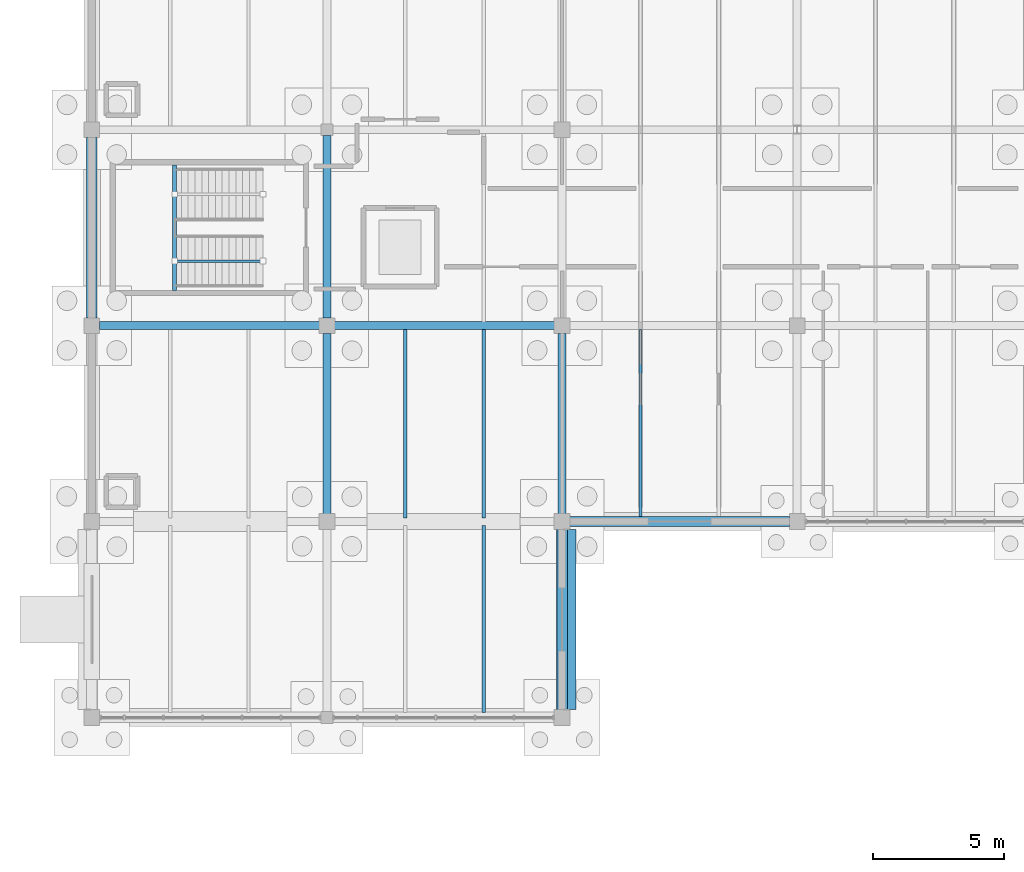
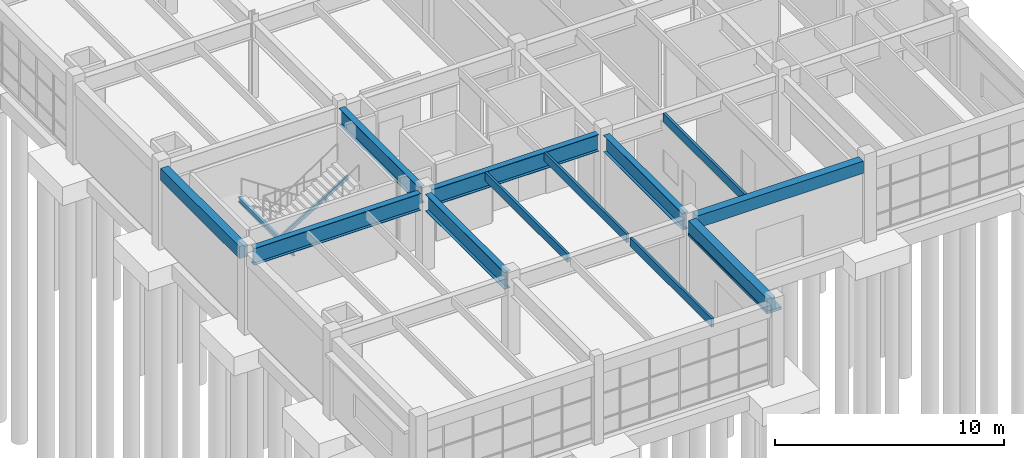
# One storey, part 28 of 93: 13 beams, 2 members.
"""IFC4 building model written with IfcOpenShell, lengths in metres."""

from ifc_helpers import new_model, si_unit, direction, frame, origin, origin_2d, place, context, subcontext, project, spatial, rectangle, hollow_rectangle, i_section, extrude, material, material_profile, profile_set, type_object, element, save


model = new_model("IFC4")

# Units and contexts
model_context = context("Model", 3, precision=1e-05, world=origin(), true_north=direction((0.0, 1.0)))
body_context = subcontext(model_context, "Body", "Model", "MODEL_VIEW")
ifc_project = project(units=[si_unit("LENGTHUNIT", "METRE"), si_unit("AREAUNIT", "SQUARE_METRE"), si_unit("VOLUMEUNIT", "CUBIC_METRE"), si_unit("PLANEANGLEUNIT", "RADIAN"), si_unit("MASSUNIT", "GRAM", prefix="KILO")], contexts=[model_context])

# Site, building, storey
site_placement = place(None, origin())
site = spatial("IfcSite", under=ifc_project, at=site_placement, CompositionType="ELEMENT")
building_placement = place(site_placement, origin())
building = spatial("IfcBuilding", under=site, at=building_placement, Name="Marnridge Secondary College", CompositionType="ELEMENT")
storey_placement = place(building_placement, origin())
storey = spatial("IfcBuildingStorey", under=building, at=storey_placement, Name="L00", CompositionType="ELEMENT", Elevation=0.0)

# Beams
ifc_material_1 = material(Name="Engineered timber LVL E13.2", Category="wood")
ifc_material_profile_1 = material_profile(ifc_material_1, rectangle(XDim=0.1259765625, YDim=0.449951171875, at=origin_2d()), Name="LVL 126x450")
ifc_profile_set_1 = profile_set([ifc_material_profile_1], Name="Engineered timber LVL E13.2")
beam_type_1 = type_object("IfcBeamType", Name="BM-LVL450-INT", PredefinedType="JOIST", material=ifc_profile_set_1)
for number, where, z_axis, x_axis, name in (
    (1, (12.0, 82.64404296875, 3.875), (0.0, 1.0, 0.0), (-1.0, 0.0, 0.0), "Beam BJ-L00-0284"),
    (2, (15.0, 82.64404296875, 3.875), (0.0, 1.0, 0.0), (-1.0, 0.0, 0.0), "Beam BJ-L00-0285"),
):
    element("IfcBeam", number, at=place(storey_placement, frame(where, z_axis=z_axis, x_axis=x_axis)), inside=storey, type_object=beam_type_1, Name=name, PredefinedType="JOIST", context=body_context, shape_type="SweptSolid", body=[
        extrude(rectangle(XDim=0.1259765625, YDim=0.449951171875, at=origin_2d()), origin(), (0.0, 0.0, 1.0), 7.2119140625),
    ])
for number, where, z_axis, x_axis, name in (
    (3, (21.0, 82.694091796875, 3.875), (0.0, 1.0, 0.0), (-1.0, 0.0, 0.0), "Beam BJ-L00-0293"),
    (4, (15.0, 75.194091796875, 3.875), (0.0, 1.0, 0.0), (-1.0, 0.0, 0.0), "Beam BJ-L00-0314"),
):
    element("IfcBeam", number, at=place(storey_placement, frame(where, z_axis=z_axis, x_axis=x_axis)), inside=storey, type_object=beam_type_1, Name=name, PredefinedType="JOIST", context=body_context, shape_type="SweptSolid", body=[
        extrude(rectangle(XDim=0.1259765625, YDim=0.449951171875, at=origin_2d()), origin(), (0.0, 0.0, 1.0), 7.161865234375),
    ])
ifc_material_2 = material(Name="Concrete C40/50 (AS 3600 N40, 40 MPa)", Category="concrete")
ifc_material_profile_2 = material_profile(ifc_material_2, rectangle(XDim=0.39990234375, YDim=0.64990234375, at=origin_2d()), Name="RC 400x650")
ifc_profile_set_2 = profile_set([ifc_material_profile_2], Name="Concrete C40/50 (AS 3600 N40, 40 MPa)")
beam_type_2 = type_object("IfcBeamType", Name="BM-RC4065-EXT", PredefinedType="SPANDREL", material=ifc_profile_set_2)
beam_1_placement = place(storey_placement, frame((0.0, 90.2939453125, 3.77490234375), z_axis=(0.0, 1.0, 0.0), x_axis=(-1.0, 0.0, 0.0)))
element("IfcBeam", 5, at=beam_1_placement, inside=storey, type_object=beam_type_2, Name="Beam BS-L00-0227", PredefinedType="SPANDREL", context=body_context, shape_type="SweptSolid", body=[
    extrude(rectangle(XDim=0.39990234375, YDim=0.64990234375, at=origin_2d()), origin(), (0.0, 0.0, 1.0), 6.912109375),
])
beam_2_placement = place(storey_placement, frame((18.2939453125, 82.5, 3.77490234375), z_axis=(1.0, 0.0, 0.0), x_axis=(0.0, 1.0, 0.0)))
element("IfcBeam", 6, at=beam_2_placement, inside=storey, type_object=beam_type_2, Name="Beam BS-L00-0249", PredefinedType="SPANDREL", context=body_context, shape_type="SweptSolid", body=[
    extrude(rectangle(XDim=0.39990234375, YDim=0.64990234375, at=origin_2d()), origin(), (0.0, 0.0, 1.0), 8.412109375),
])
beam_3_placement = place(storey_placement, frame((18.0, 75.2939453125, 3.77490234375), z_axis=(0.0, 1.0, 0.0), x_axis=(-1.0, 0.0, 0.0)))
element("IfcBeam", 7, at=beam_3_placement, inside=storey, type_object=beam_type_2, Name="Beam BS-L00-0275", PredefinedType="SPANDREL", context=body_context, shape_type="SweptSolid", body=[
    extrude(rectangle(XDim=0.39990234375, YDim=0.64990234375, at=origin_2d()), origin(), (0.0, 0.0, 1.0), 6.912109375),
])
ifc_material_3 = material(Name="Structural steel Grade 350 (AS/NZS 3679.1/.2, fy = 340-360 MPa)", Category="steel")
ifc_material_profile_3 = material_profile(ifc_material_3, i_section(OverallWidth=0.146240234375, OverallDepth=0.256103515625, WebThickness=0.00634765625, FlangeThickness=0.010986328125, FilletRadius=0.0087890625, at=origin_2d()), Name="250UB37.3")
ifc_profile_set_3 = profile_set([ifc_material_profile_3], Name="Structural steel Grade 350 (AS/NZS 3679.1/.2, fy = 340-360 MPa)")
beam_type_3 = type_object("IfcBeamType", Name="BM-UB250-EXT", PredefinedType="LINTEL", material=ifc_profile_set_3)
beam_4_placement = place(storey_placement, frame((3.169921875, 91.342041015625, 1.921875), z_axis=(0.0, 1.0, 0.0), x_axis=(-1.0, 0.0, 0.0)))
element("IfcBeam", 8, at=beam_4_placement, inside=storey, type_object=beam_type_3, Name="Stair landing trimmer beam BT-L00-037", PredefinedType="LINTEL", context=body_context, shape_type="SweptSolid", body=[
    extrude(i_section(OverallWidth=0.146240234375, OverallDepth=0.256103515625, WebThickness=0.00634765625, FlangeThickness=0.010986328125, FilletRadius=0.0087890625, at=origin_2d()), origin(), (0.0, 0.0, 1.0), 4.802978515625),
])
ifc_material_4 = material(Name="Structural steel Grade 350 (AS/NZS 3679.1/.2, fy = 340-360 MPa)", Category="steel")
ifc_material_profile_4 = material_profile(ifc_material_4, i_section(OverallWidth=0.300048828125, OverallDepth=0.89990234375, WebThickness=0.011962890625, FlangeThickness=0.02001953125, at=origin_2d()), Name="900WB175")
ifc_profile_set_4 = profile_set([ifc_material_profile_4], Name="Structural steel Grade 350 (AS/NZS 3679.1/.2, fy = 340-360 MPa)")
beam_type_4 = type_object("IfcBeamType", Name="BM-WB900-INT", PredefinedType="BEAM", material=ifc_profile_set_4)
beam_5_placement = place(storey_placement, frame((0.2939453125, 90.0, 3.64990234375), z_axis=(1.0, 0.0, 0.0), x_axis=(0.0, 1.0, 0.0)))
element("IfcBeam", 9, at=beam_5_placement, inside=storey, type_object=beam_type_4, Name="Beam B-L00-0223", PredefinedType="BEAM", context=body_context, shape_type="SweptSolid", body=[
    extrude(i_section(OverallWidth=0.300048828125, OverallDepth=0.89990234375, WebThickness=0.011962890625, FlangeThickness=0.02001953125, at=origin_2d()), origin(), (0.0, 0.0, 1.0), 8.412109375),
])
beam_6_placement = place(storey_placement, frame((9.0, 82.7939453125, 3.64990234375), z_axis=(0.0, 1.0, 0.0), x_axis=(-1.0, 0.0, 0.0)))
element("IfcBeam", 10, at=beam_6_placement, inside=storey, type_object=beam_type_4, Name="Beam B-L00-0225", PredefinedType="BEAM", context=body_context, shape_type="SweptSolid", body=[
    extrude(i_section(OverallWidth=0.300048828125, OverallDepth=0.89990234375, WebThickness=0.011962890625, FlangeThickness=0.02001953125, at=origin_2d()), origin(), (0.0, 0.0, 1.0), 6.912109375),
])
beam_7_placement = place(storey_placement, frame((9.0, 90.2939453125, 3.64990234375), z_axis=(0.0, 1.0, 0.0), x_axis=(-1.0, 0.0, 0.0)))
element("IfcBeam", 11, at=beam_7_placement, inside=storey, type_object=beam_type_4, Name="Beam B-L00-0228", PredefinedType="BEAM", context=body_context, shape_type="SweptSolid", body=[
    extrude(i_section(OverallWidth=0.300048828125, OverallDepth=0.89990234375, WebThickness=0.011962890625, FlangeThickness=0.02001953125, at=origin_2d()), origin(), (0.0, 0.0, 1.0), 6.987060546875),
])
beam_8_placement = place(storey_placement, frame((9.2939453125, 90.0, 3.64990234375), z_axis=(1.0, 0.0, 0.0), x_axis=(0.0, 1.0, 0.0)))
element("IfcBeam", 12, at=beam_8_placement, inside=storey, type_object=beam_type_4, Name="Beam B-L00-0239", PredefinedType="BEAM", context=body_context, shape_type="SweptSolid", body=[
    extrude(i_section(OverallWidth=0.300048828125, OverallDepth=0.89990234375, WebThickness=0.011962890625, FlangeThickness=0.02001953125, at=origin_2d()), origin(), (0.0, 0.0, 1.0), 8.412109375),
])
beam_9_placement = place(storey_placement, frame((18.0, 82.7939453125, 3.64990234375), z_axis=(0.0, 1.0, 0.0), x_axis=(-1.0, 0.0, 0.0)))
element("IfcBeam", 13, at=beam_9_placement, inside=storey, type_object=beam_type_4, Name="Beam B-L00-0240", PredefinedType="BEAM", context=body_context, shape_type="SweptSolid", body=[
    extrude(i_section(OverallWidth=0.300048828125, OverallDepth=0.89990234375, WebThickness=0.011962890625, FlangeThickness=0.02001953125, at=origin_2d()), origin(), (0.0, 0.0, 1.0), 6.912109375),
])

# Members
ifc_material_5 = material(Name="Precast concrete C40/50 (AS 3600 N40, 40 MPa)", Category="concrete")
ifc_material_profile_5 = material_profile(ifc_material_5, rectangle(XDim=0.139892578125, YDim=0.75, at=origin_2d()), Name="FIN PC 140x750")
ifc_profile_set_5 = profile_set([ifc_material_profile_5], Name="Precast concrete C40/50 (AS 3600 N40, 40 MPa)")
member_type_1 = type_object("IfcMemberType", Name="MB-FIN-PC750", PredefinedType="USERDEFINED", material=ifc_profile_set_5)
member_1_placement = place(storey_placement, frame((18.159912109375, 82.199951171875, 3.362060546875), z_axis=(0.0, -1.0, 0.0), x_axis=(0.0, 0.0, 1.0)))
element("IfcMember", 14, at=member_1_placement, inside=storey, type_object=member_type_1, Name="Solar shading fin SFN-0019", ObjectType="SOLAR FIN", PredefinedType="USERDEFINED", context=body_context, shape_type="SweptSolid", body=[
    extrude(rectangle(XDim=0.139892578125, YDim=0.75, at=origin_2d()), origin(), (0.0, 0.0, 1.0), 6.89990234375),
])
ifc_material_6 = material(Name="Cold-formed steel Grade C350L0 (AS/NZS 1163, fy = 350 MPa)", Category="steel")
ifc_material_profile_6 = material_profile(ifc_material_6, hollow_rectangle(XDim=0.10009765625, YDim=0.199951171875, WallThickness=0.006103515625, at=origin_2d()), Name="200x100x6.0RHS")
ifc_profile_set_6 = profile_set([ifc_material_profile_6], Name="Cold-formed steel Grade C350L0 (AS/NZS 1163, fy = 350 MPa)")
member_type_2 = type_object("IfcMemberType", Name="MB-STR-RHS200", PredefinedType="STRINGER", material=ifc_profile_set_6)
member_2_placement = place(storey_placement, frame((3.169921875, 92.469970703125, 2.14208984375), z_axis=(0.855058437662, 0.0, 0.51853164627), x_axis=(0.0, 1.0, 0.0)))
element("IfcMember", 15, at=member_2_placement, inside=storey, type_object=member_type_2, Name="Stair stringer STR-038", PredefinedType="STRINGER", context=body_context, shape_type="SweptSolid", body=[
    extrude(hollow_rectangle(XDim=0.10009765625, YDim=0.199951171875, WallThickness=0.006103515625, at=origin_2d()), origin(), (0.0, 0.0, 1.0), 3.953125),
])

save(model, "model.ifc")
